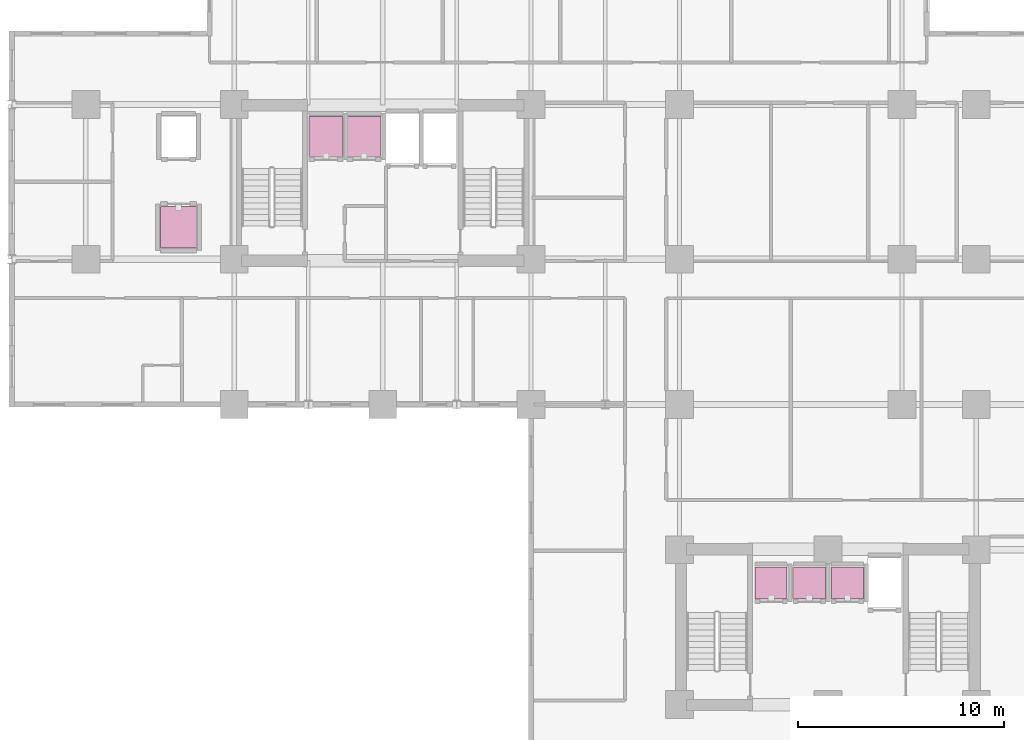
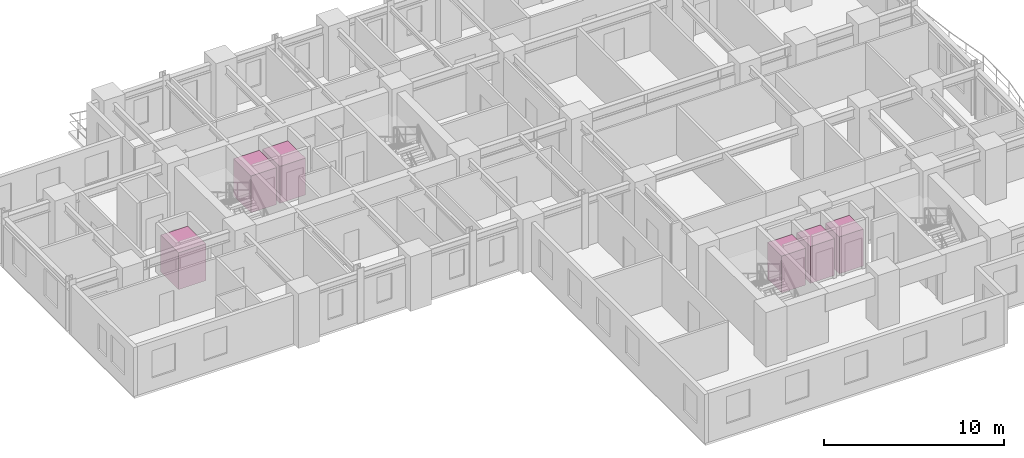
# One storey, part 12 of 12: 6 transport elements.
"""IFC4 building model written with IfcOpenShell, lengths in metres."""

from ifc_helpers import new_model, si_unit, direction, frame, origin, origin_2d, place, context, subcontext, project, spatial, rectangle, extrude, source, transform, mapped, material, type_object, element, save


model = new_model("IFC4")

# Units and contexts
model_context = context("Model", 3, precision=1e-05, world=origin(), true_north=direction((0.0, 1.0)))
body_context = subcontext(model_context, "Body", "Model", "MODEL_VIEW")
ifc_project = project(units=[si_unit("LENGTHUNIT", "METRE"), si_unit("AREAUNIT", "SQUARE_METRE"), si_unit("VOLUMEUNIT", "CUBIC_METRE"), si_unit("PLANEANGLEUNIT", "RADIAN"), si_unit("MASSUNIT", "GRAM", prefix="KILO")], contexts=[model_context])

# Site, building, storey
site_placement = place(None, origin())
site = spatial("IfcSite", under=ifc_project, at=site_placement, CompositionType="ELEMENT")
building_placement = place(site_placement, origin())
building = spatial("IfcBuilding", under=site, at=building_placement, Name="Kaliganga Portal Commons", CompositionType="ELEMENT")
storey_placement = place(building_placement, frame((0.0, 0.0, 69.699951171875)))
storey = spatial("IfcBuildingStorey", under=building, at=storey_placement, Name="L17", CompositionType="ELEMENT", Elevation=69.699951171875)

# Transport elements
ifc_material = material(Name="Stainless Steel 316 Lift Car Assembly", Category="steel")
transport_element_type = type_object("IfcTransportElementType", Name="XPT-ELEV-PASS", PredefinedType="ELEVATOR", material=ifc_material)
shared_shape_1 = source(origin(), body_context, "Body", "SweptSolid", [
    extrude(rectangle(XDim=1.64990234375, YDim=1.949951171875, at=origin_2d()), origin(), (0.0, 0.0, 1.0), 2.5),
])
for number, where, z_axis, x_axis, name in (
    (1, (18.85009765625, 34.60009765625, 0.0), (0.0, 0.0, 1.0), (1.0, 0.0, 0.0), "Passenger Lift PL-A1"),
    (2, (20.699951171875, 34.60009765625, 0.0), (0.0, 0.0, 1.0), (1.0, 0.0, 0.0), "Passenger Lift PL-A2"),
):
    element("IfcTransportElement", number, at=place(storey_placement, frame(where, z_axis=z_axis, x_axis=x_axis)), inside=storey, type_object=transport_element_type, Name=name, PredefinedType="ELEVATOR", context=body_context, shape_type="MappedRepresentation", body=[
        mapped(shared_shape_1, transform((0.0, 0.0, 0.0), x_axis=(1.0, 0.0, 0.0), y_axis=(0.0, 1.0, 0.0), z_axis=(0.0, 0.0, 1.0), scale=1.0)),
    ])
shared_shape_2 = source(origin(), body_context, "Body", "SweptSolid", [
    extrude(rectangle(XDim=1.75, YDim=2.0, at=origin_2d()), origin(), (0.0, 0.0, 1.0), 2.5),
])
transport_element_placement = place(storey_placement, frame((11.699951171875, 30.199951171875, 0.0), z_axis=(0.0, 0.0, 1.0), x_axis=(1.0, 0.0, 0.0)))
element("IfcTransportElement", 3, at=transport_element_placement, inside=storey, type_object=transport_element_type, Name="Passenger Lift SH-1", PredefinedType="ELEVATOR", context=body_context, shape_type="MappedRepresentation", body=[
    mapped(shared_shape_2, transform((0.0, 0.0, 0.0), x_axis=(1.0, 0.0, 0.0), y_axis=(0.0, 1.0, 0.0), z_axis=(0.0, 0.0, 1.0), scale=1.0)),
])
shared_shape_3 = source(origin(), body_context, "Body", "SweptSolid", [
    extrude(rectangle(XDim=1.550048828125, YDim=1.550048828125, at=origin_2d()), origin(), (0.0, 0.0, 1.0), 2.5),
])
for number, where, z_axis, x_axis, name in (
    (4, (40.449951171875, 12.949951171875, 0.0), (0.0, 0.0, 1.0), (1.0, 0.0, 0.0), "Passenger Lift PL-B1"),
    (5, (42.300048828125, 12.949951171875, 0.0), (0.0, 0.0, 1.0), (1.0, 0.0, 0.0), "Passenger Lift PL-B2"),
    (6, (44.14990234375, 12.949951171875, 0.0), (0.0, 0.0, 1.0), (1.0, 0.0, 0.0), "Passenger Lift SH-2"),
):
    element("IfcTransportElement", number, at=place(storey_placement, frame(where, z_axis=z_axis, x_axis=x_axis)), inside=storey, type_object=transport_element_type, Name=name, PredefinedType="ELEVATOR", context=body_context, shape_type="MappedRepresentation", body=[
        mapped(shared_shape_3, transform((0.0, 0.0, 0.0), x_axis=(1.0, 0.0, 0.0), y_axis=(0.0, 1.0, 0.0), z_axis=(0.0, 0.0, 1.0), scale=1.0)),
    ])

save(model, "model.ifc")
